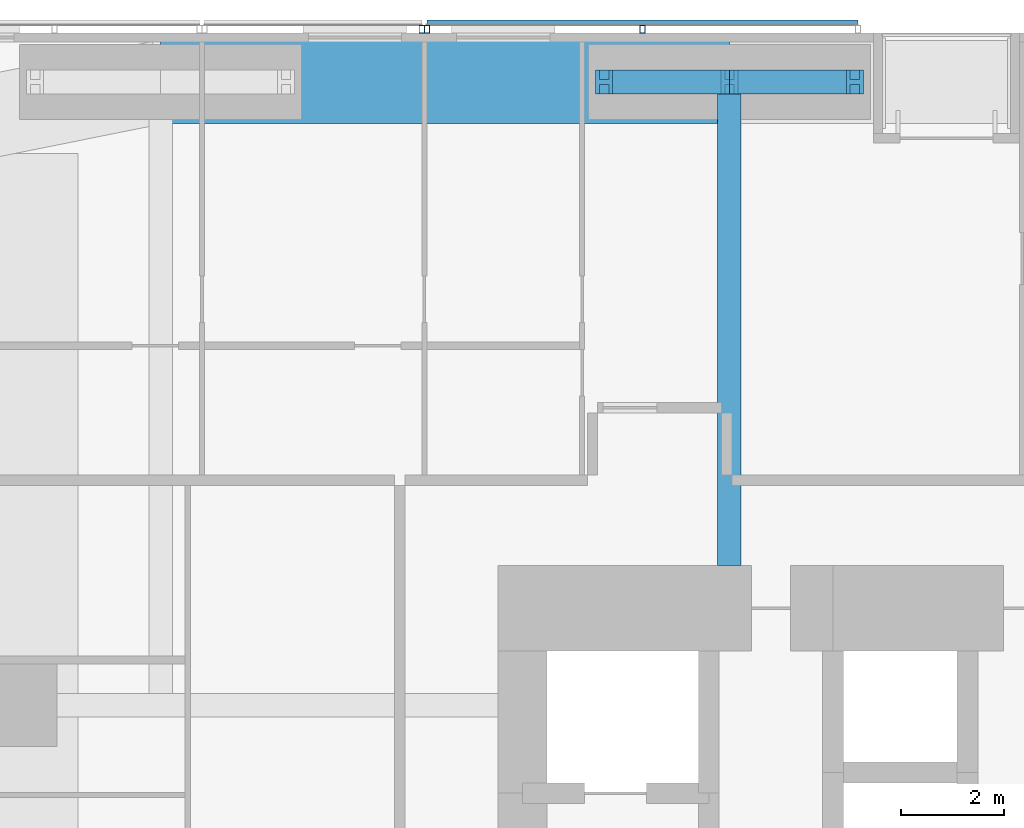
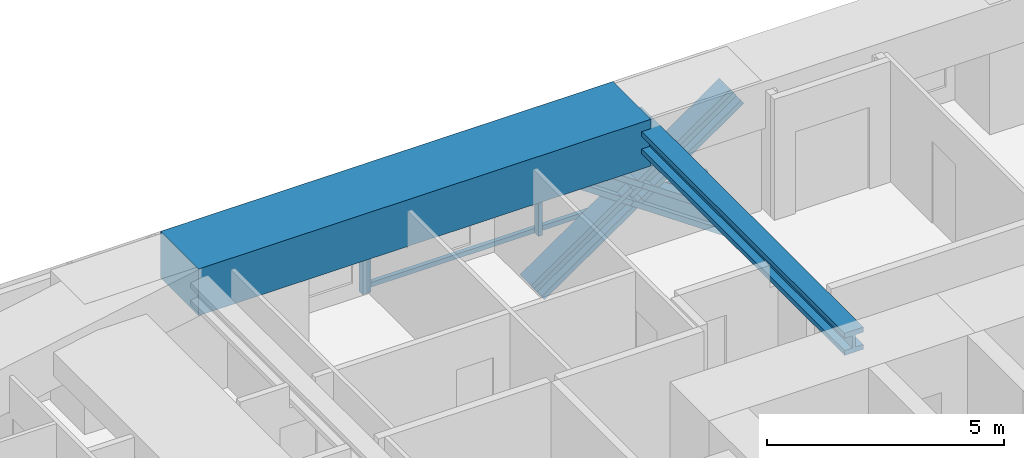
# One storey, part 12 of 23: 8 members, 2 beams, 2 elements without a shape of their own.
"""IFC4 building model written with IfcOpenShell, lengths in metres."""

from ifc_helpers import new_model, si_unit, direction, frame, origin, origin_2d, place, context, subcontext, project, spatial, rectangle, hollow_rectangle, i_section, extrude, material, material_profile, profile_set, type_object, element, aggregate, save


model = new_model("IFC4")

# Units and contexts
model_context = context("Model", 3, precision=1e-05, world=origin(), true_north=direction((0.0, 1.0)))
body_context = subcontext(model_context, "Body", "Model", "MODEL_VIEW")
ifc_project = project(units=[si_unit("LENGTHUNIT", "METRE"), si_unit("AREAUNIT", "SQUARE_METRE"), si_unit("VOLUMEUNIT", "CUBIC_METRE"), si_unit("PLANEANGLEUNIT", "RADIAN"), si_unit("MASSUNIT", "GRAM", prefix="KILO")], contexts=[model_context])

# Site, building, storey
site_placement = place(None, origin())
site = spatial("IfcSite", under=ifc_project, at=site_placement, CompositionType="ELEMENT")
building_placement = place(site_placement, origin())
building = spatial("IfcBuilding", under=site, at=building_placement, Name="Jalousie Tower", CompositionType="ELEMENT")
storey_placement = place(building_placement, frame((0.0, 0.0, 27.699951171875)))
storey = spatial("IfcBuildingStorey", under=building, at=storey_placement, Name="L06", CompositionType="ELEMENT", Elevation=27.699951171875)

# Beam
ifc_material_1 = material(Name="Steel ASTM A992 Grade 50", Category="steel")
ifc_material_profile_1 = material_profile(ifc_material_1, i_section(OverallWidth=0.45458984375, OverallDepth=0.569091796875, WebThickness=0.077880859375, FlangeThickness=0.124755859375, at=origin_2d()), Name="W14X730")
ifc_profile_set_1 = profile_set([ifc_material_profile_1], Name="Steel ASTM A992 Grade 50")
beam_type_1 = type_object("IfcBeamType", Name="LEAN COLLECTOR W14X730", PredefinedType="BEAM", material=ifc_profile_set_1)
beam_1_placement = place(storey_placement, frame((24.0, 37.050048828125, 2.825439453125), z_axis=(0.0, -1.0, 0.0), x_axis=(1.0, 0.0, 0.0)))
element("IfcBeam", 1, at=beam_1_placement, inside=storey, type_object=beam_type_1, Name="Lean collector under L07", PredefinedType="BEAM", context=body_context, shape_type="SweptSolid", body=[
    extrude(i_section(OverallWidth=0.45458984375, OverallDepth=0.569091796875, WebThickness=0.077880859375, FlangeThickness=0.124755859375, at=origin_2d()), origin(), (0.0, 0.0, 1.0), 9.35009765625),
])

# Members
ifc_material_2 = material(Name="Steel ASTM A992 Grade 50", Category="steel")
ifc_material_profile_2 = material_profile(ifc_material_2, i_section(OverallWidth=0.472412109375, OverallDepth=0.5791015625, WebThickness=0.094970703125, FlangeThickness=0.1298828125, at=origin_2d()), Name="W14X808")
ifc_profile_set_2 = profile_set([ifc_material_profile_2], Name="Steel ASTM A992 Grade 50")
member_type_1 = type_object("IfcMemberType", Name="PERIMETER BRACE W14X808", PredefinedType="BRACE", material=ifc_profile_set_2)
for number, where, z_axis, x_axis, name in (
    (2, (21.574951171875, 37.050048828125, -0.599853515625), (0.82283879777, 0.0, 0.568274856811), (0.0, 1.0, 0.0), "Perimeter brace 10 L06 part 1"),
    (3, (24.0, 37.050048828125, 1.074951171875), (0.822800062329, 0.0, 0.568330940062), (0.0, 1.0, 0.0), "Perimeter brace 10 L06 part 2"),
    (4, (26.425048828125, 37.050048828125, -0.599853515625), (-0.82283879777, 0.0, 0.568274856811), (0.0, -1.0, 0.0), "Perimeter brace 10 L06 part 3"),
    (5, (24.0, 37.050048828125, 1.074951171875), (-0.822800062329, 0.0, 0.568330940062), (0.0, -1.0, 0.0), "Perimeter brace 10 L06 part 4"),
):
    element("IfcMember", number, at=place(storey_placement, frame(where, z_axis=z_axis, x_axis=x_axis)), inside=storey, type_object=member_type_1, Name=name, PredefinedType="BRACE", context=body_context, shape_type="SweptSolid", body=[
        extrude(i_section(OverallWidth=0.472412109375, OverallDepth=0.5791015625, WebThickness=0.094970703125, FlangeThickness=0.1298828125, at=origin_2d()), origin(), (0.0, 0.0, 1.0), 2.947265625),
    ])

# Beam
ifc_material_3 = material(Name="Concrete f'c 40 MPa", Category="concrete")
ifc_material_profile_3 = material_profile(ifc_material_3, rectangle(XDim=1.60009765625, YDim=1.199951171875, at=origin_2d()), Name="RC 1600x1200")
ifc_profile_set_3 = profile_set([ifc_material_profile_3], Name="Concrete f'c 40 MPa")
beam_type_2 = type_object("IfcBeamType", Name="RC BEAM 1600x1200", PredefinedType="BEAM", material=ifc_profile_set_3)
beam_2_placement = place(storey_placement, frame((24.0, 37.050048828125, 2.75), z_axis=(-1.0, 0.0, 0.0), x_axis=(0.0, -1.0, 0.0)))
element("IfcBeam", 6, at=beam_2_placement, inside=storey, type_object=beam_type_2, Name="Edge band beam 10-11 under L07", PredefinedType="BEAM", context=body_context, shape_type="SweptSolid", body=[
    extrude(rectangle(XDim=1.60009765625, YDim=1.199951171875, at=origin_2d()), origin(), (0.0, 0.0, 1.0), 11.0),
])

# Curtain wall, members
ifc_material_4 = material(Name="Perforated aluminium sheet", Category="aluminium")
curtain_wall_type = type_object("IfcCurtainWallType", Name="SOLAR SCREEN SS-1", PredefinedType="USERDEFINED", material=ifc_material_4)
curtain_wall_1_placement = place(storey_placement, origin())
curtain_wall_1 = element("IfcCurtainWall", 7, at=curtain_wall_1_placement, inside=storey, type_object=curtain_wall_type, Name="Solar screen L06", ObjectType="SOLAR SCREEN SS-1", PredefinedType="USERDEFINED")
ifc_material_5 = material(Name="Steel ASTM A500 Grade C", Category="steel")
ifc_material_profile_4 = material_profile(ifc_material_5, hollow_rectangle(XDim=0.1015625, YDim=0.15234375, WallThickness=0.00634765625, at=origin_2d()), Name="HSS6X4X1/4")
ifc_profile_set_4 = profile_set([ifc_material_profile_4], Name="Steel ASTM A500 Grade C")
member_type_2 = type_object("IfcMemberType", Name="SOLAR SCREEN SS-1 MULLION", PredefinedType="MULLION", material=ifc_profile_set_4)
member_1_placement = place(storey_placement, frame((22.316650390625, 38.0712890625, -0.119873046875), z_axis=(0.0, 0.0, 1.0), x_axis=(-1.0, 0.0, 0.0)))
member_1 = element("IfcMember", 8, at=member_1_placement, type_object=member_type_2, Name="SS1 post 2", PredefinedType="MULLION", context=body_context, shape_type="SweptSolid", body=[
    extrude(hollow_rectangle(XDim=0.1015625, YDim=0.15234375, WallThickness=0.00634765625, at=origin_2d()), origin(), (0.0, 0.0, 1.0), 3.22998046875),
])
member_2_placement = place(storey_placement, frame((18.14990234375, 38.0712890625, -0.119873046875), z_axis=(0.0, 0.0, 1.0), x_axis=(-1.0, 0.0, 0.0)))
member_2 = element("IfcMember", 9, at=member_2_placement, type_object=member_type_2, Name="SS1 post 3", PredefinedType="MULLION", context=body_context, shape_type="SweptSolid", body=[
    extrude(hollow_rectangle(XDim=0.1015625, YDim=0.15234375, WallThickness=0.00634765625, at=origin_2d()), origin(), (0.0, 0.0, 1.0), 3.22998046875),
])

# Curtain wall, member
curtain_wall_2_placement = place(storey_placement, origin())
curtain_wall_2 = element("IfcCurtainWall", 10, at=curtain_wall_2_placement, inside=storey, type_object=curtain_wall_type, Name="Solar screen L06", ObjectType="SOLAR SCREEN SS-1", PredefinedType="USERDEFINED")
member_3_placement = place(storey_placement, frame((18.050048828125, 38.0712890625, -0.119873046875), z_axis=(0.0, 0.0, 1.0), x_axis=(-1.0, 0.0, 0.0)))
member_3 = element("IfcMember", 11, at=member_3_placement, type_object=member_type_2, Name="SS1 post 1", PredefinedType="MULLION", context=body_context, shape_type="SweptSolid", body=[
    extrude(hollow_rectangle(XDim=0.1015625, YDim=0.15234375, WallThickness=0.00634765625, at=origin_2d()), origin(), (0.0, 0.0, 1.0), 3.22998046875),
])
aggregate(curtain_wall_2, [member_3])

# Member
ifc_material_6 = material(Name="Extruded aluminium screen rail", Category="aluminium")
ifc_material_profile_5 = material_profile(ifc_material_6, rectangle(XDim=0.1015625, YDim=0.1201171875, at=origin_2d()), Name="RAIL 102x120")
ifc_profile_set_5 = profile_set([ifc_material_profile_5], Name="Extruded aluminium screen rail")
member_type_3 = type_object("IfcMemberType", Name="SOLAR SCREEN SS-1 TRANSOM", PredefinedType="USERDEFINED", material=ifc_profile_set_5)
member_4_placement = place(storey_placement, frame((26.483154296875, 38.1982421875, -0.06005859375), z_axis=(-1.0, 0.0, 0.0), x_axis=(0.0, -1.0, 0.0)))
member_4 = element("IfcMember", 12, at=member_4_placement, type_object=member_type_3, Name="SS1 rail", ObjectType="TRANSOM", PredefinedType="USERDEFINED", context=body_context, shape_type="SweptSolid", body=[
    extrude(rectangle(XDim=0.1015625, YDim=0.1201171875, at=origin_2d()), origin(), (0.0, 0.0, 1.0), 8.333251953125),
])

aggregate(curtain_wall_1, [member_1, member_2, member_4])

save(model, "model.ifc")
